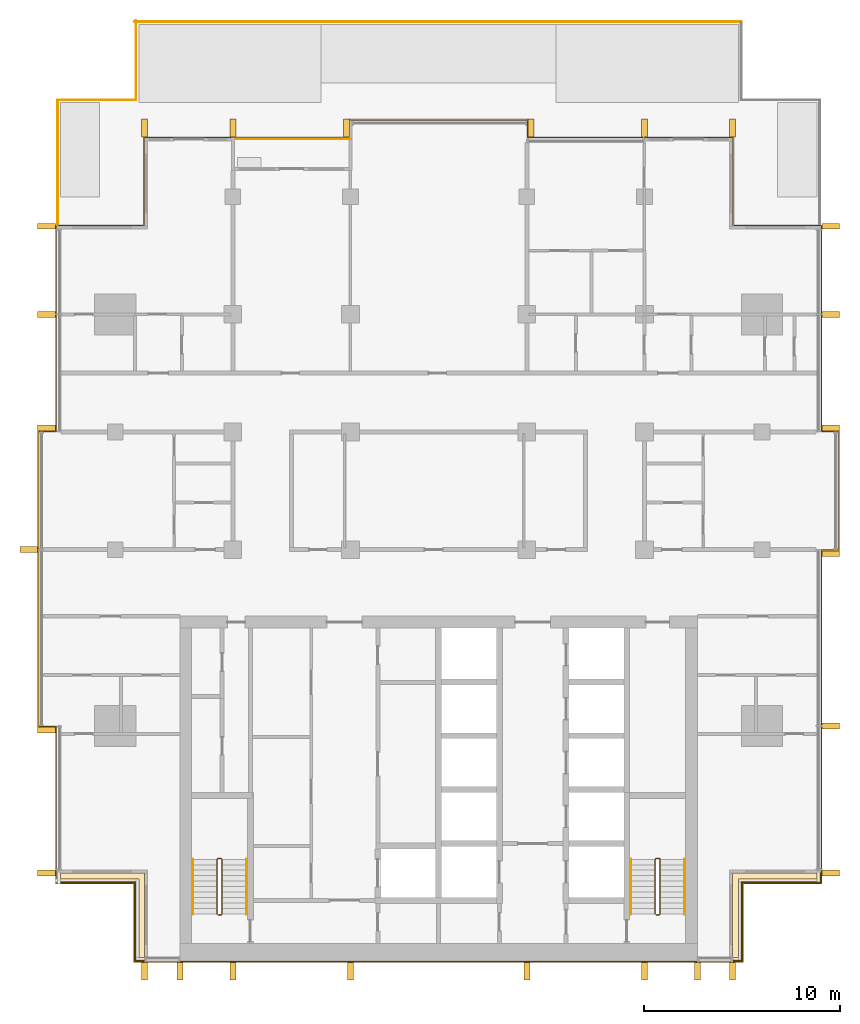
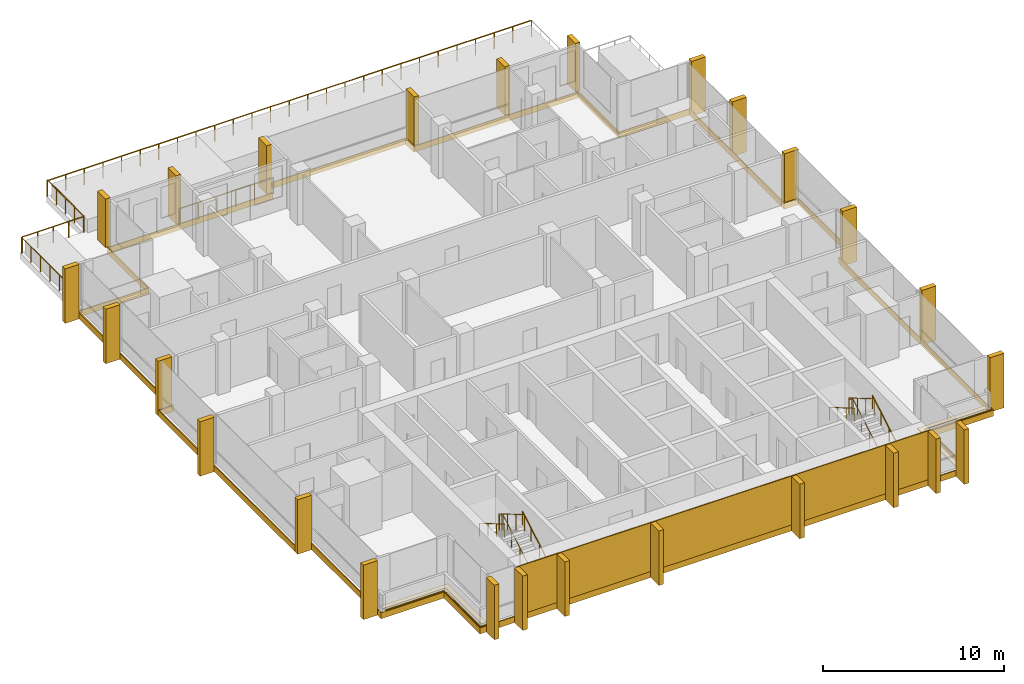
# One storey, part 16 of 17: 26 shading devices, 11 railings, 10 coverings.
"""IFC4 building model written with IfcOpenShell, lengths in metres."""

import ifcopenshell
import ifcopenshell.guid

model = None  # the IFC model being written
_history = None  # IfcOwnerHistory: only IFC2X3 demands one
_inside = {}  # id of a spatial element -> (the spatial element, [elements in it])
_under = {}  # id of a project, library or spatial element -> (it, [spatial elements below it])
_declared = {}  # id of a project -> (the project, [libraries it declares])
_typed = {}  # id of a type object -> (the type object, [elements of that type])
_made_of = {}  # id of a material, layer set ... -> (it, [elements and type objects made of it])


def new_model(schema):
    """Start an empty IFC model of exactly this schema.

    Asked for "IFC4X3", IfcOpenShell would pick the latest addendum, in which some entities
    have other attributes; the version numbers below select the first issue.
    IFC2X3 requires an IfcOwnerHistory on every rooted entity: one is made here for all.
    """
    global model, _history
    if schema == "IFC4X3":
        model = ifcopenshell.file(schema_version=(4, 3, 0, 0))
    else:
        model = ifcopenshell.file(schema=schema)
    _inside.clear()
    _under.clear()
    _declared.clear()
    _typed.clear()
    _made_of.clear()
    _history = None
    if model.schema == "IFC2X3":
        org = make("IfcOrganization", Name="unknown")
        user = make(
            "IfcPersonAndOrganization",
            ThePerson=make("IfcPerson", FamilyName="unknown"),
            TheOrganization=org,
        )
        app = make(
            "IfcApplication",
            ApplicationDeveloper=org,
            Version="unknown",
            ApplicationFullName="unknown",
            ApplicationIdentifier="unknown",
        )
        _history = make(
            "IfcOwnerHistory",
            OwningUser=user,
            OwningApplication=app,
            ChangeAction="ADDED",
            CreationDate=0,
        )
    return model


def make(cls, **values):
    """One entity of the class cls with the attributes given. An attribute that is None is left unset."""
    return model.create_entity(
        cls, **{name: value for name, value in values.items() if value is not None}
    )


def rooted(cls, **values):
    """An entity with a GlobalId (a new one), such as an element, a storey or a relation."""
    return make(cls, GlobalId=ifcopenshell.guid.new(), OwnerHistory=_history, **values)


def si_unit(unit_type, name, prefix=None):
    """IfcSIUnit, for example si_unit("LENGTHUNIT", "METRE", prefix="MILLI")."""
    return make("IfcSIUnit", UnitType=unit_type, Prefix=prefix, Name=name)


def assignment(units):
    """IfcUnitAssignment: the units of a project."""
    return None if units is None else make("IfcUnitAssignment", Units=units)


def point(xyz):
    """IfcCartesianPoint."""
    return None if xyz is None else make("IfcCartesianPoint", Coordinates=xyz)


def direction(xyz):
    """IfcDirection."""
    return None if xyz is None else make("IfcDirection", DirectionRatios=xyz)


def frame(location, z_axis=None, x_axis=None):
    """IfcAxis2Placement3D, a coordinate frame: its origin and axes. An axis left out is left unset."""
    return make(
        "IfcAxis2Placement3D",
        Location=point(location),
        Axis=direction(z_axis),
        RefDirection=direction(x_axis),
    )


def frame_2d(location, x_axis=None):
    """IfcAxis2Placement2D, a coordinate frame in the plane: its origin and x axis."""
    return make(
        "IfcAxis2Placement2D", Location=point(location), RefDirection=direction(x_axis)
    )


def origin():
    """The frame at (0, 0, 0) with its axes left unset."""
    return frame((0.0, 0.0, 0.0))


def origin_2d():
    """The frame at (0, 0) in the plane with its x axis left unset."""
    return frame_2d((0.0, 0.0))


def place(relative_to, where):
    """IfcLocalPlacement: puts the frame where relative to a parent placement (None: the world)."""
    return make(
        "IfcLocalPlacement", PlacementRelTo=relative_to, RelativePlacement=where
    )


def context(
    kind, dimensions, precision=None, world=None, true_north=None, identifier=None
):
    """IfcGeometricRepresentationContext, for example the 3D "Model" context."""
    return make(
        "IfcGeometricRepresentationContext",
        ContextIdentifier=identifier,
        ContextType=kind,
        CoordinateSpaceDimension=dimensions,
        Precision=precision,
        WorldCoordinateSystem=world,
        TrueNorth=true_north,
    )


def subcontext(parent, identifier, kind, view, scale=None):
    """IfcGeometricRepresentationSubContext, for example "Body" below "Model"."""
    return make(
        "IfcGeometricRepresentationSubContext",
        ContextIdentifier=identifier,
        ContextType=kind,
        ParentContext=parent,
        TargetScale=scale,
        TargetView=view,
    )


def project(units=None, contexts=None):
    """IfcProject with its units and contexts."""
    return rooted(
        "IfcProject",
        Name="project",
        RepresentationContexts=contexts,
        UnitsInContext=assignment(units),
    )


def spatial(cls, under=None, at=None, **own):
    """A site, building, storey or space (cls), placed at a placement, below another one or the project."""
    s = rooted(cls, ObjectPlacement=at, **own)
    if under is not None:
        _under.setdefault(under.id(), (under, []))[1].append(s)
    return s


def polyline(points):
    """IfcPolyline through the points."""
    return make("IfcPolyline", Points=[point(p) for p in points])


def profile(cls, at=None, kind="AREA", **sizes):
    """A parametric profile (cls). Its sizes go by their IFC names, for example OverallWidth=200.0."""
    return make(cls, ProfileType=kind, Position=at, **sizes)


def rectangle(**sizes):
    """IfcRectangleProfileDef."""
    return profile("IfcRectangleProfileDef", **sizes)


def circle(**sizes):
    """IfcCircleProfileDef."""
    return profile("IfcCircleProfileDef", **sizes)


def outline(outer, holes=None, kind="AREA"):
    """IfcArbitraryClosedProfileDef: a profile drawn as a closed curve; with holes, ...WithVoids."""
    if holes is None:
        return make("IfcArbitraryClosedProfileDef", ProfileType=kind, OuterCurve=outer)
    return make(
        "IfcArbitraryProfileDefWithVoids",
        ProfileType=kind,
        OuterCurve=outer,
        InnerCurves=holes,
    )


def extrude(swept, where, along, depth):
    """IfcExtrudedAreaSolid: the profile swept, set in the frame where, extruded along a direction by depth."""
    return make(
        "IfcExtrudedAreaSolid",
        SweptArea=swept,
        Position=where,
        ExtrudedDirection=direction(along),
        Depth=depth,
    )


def shape(context_of_items, identifier, shape_type, items):
    """IfcShapeRepresentation: the items that make up one representation, for example the "Body"."""
    return make(
        "IfcShapeRepresentation",
        ContextOfItems=context_of_items,
        RepresentationIdentifier=identifier,
        RepresentationType=shape_type,
        Items=items,
    )


def material(Name=None, Category=None):
    """IfcMaterial."""
    return make("IfcMaterial", Name=Name, Category=Category)


def layer(
    of_material, thickness, ventilated=None, Name=None, Category=None, Priority=None
):
    """IfcMaterialLayer: one layer of a wall or slab, of a material (None: an air gap)."""
    return make(
        "IfcMaterialLayer",
        Material=of_material,
        LayerThickness=thickness,
        IsVentilated=ventilated,
        Name=Name,
        Category=Category,
        Priority=Priority,
    )


def layer_set(layers, Name=None):
    """IfcMaterialLayerSet."""
    return make("IfcMaterialLayerSet", MaterialLayers=layers, LayerSetName=Name)


def made_of(thing, what):
    """Note that an element or type object is made of a material, layer set ...; save() writes the relation."""
    if what is not None:
        _made_of.setdefault(what.id(), (what, []))[1].append(thing)
    return thing


def type_object(cls, material=None, **own):
    """A type object (cls), such as IfcWallType, which elements share."""
    return made_of(rooted(cls, **own), material)


def element(
    cls,
    number,
    at=None,
    inside=None,
    cuts=None,
    type_object=None,
    material=None,
    context=None,
    identifier="Body",
    shape_type=None,
    held_by="IfcProductDefinitionShape",
    body=None,
    shapes=None,
    **own,
):
    """One element of the class cls, such as IfcWall. Its Tag is "e" and its number.

    at: its placement. inside: the storey or other place that contains it. cuts: it is an
    opening in that element (IfcRelVoidsElement). A single representation is given by context,
    identifier, shape_type and body (its items); several are given by shapes. held_by: the class
    of the entity that holds the representations. save() writes the other relations.
    """
    e = rooted(cls, Tag="e%d" % number, ObjectPlacement=at, **own)
    if body is not None:
        shapes = [shape(context, identifier, shape_type, body)]
    if shapes is not None:
        e.Representation = make(held_by, Representations=shapes)
    if inside is not None:
        _inside.setdefault(inside.id(), (inside, []))[1].append(e)
    if cuts is not None:
        rooted(
            "IfcRelVoidsElement", RelatingBuildingElement=cuts, RelatedOpeningElement=e
        )
    if type_object is not None:
        _typed.setdefault(type_object.id(), (type_object, []))[1].append(e)
    return made_of(e, material)


def aggregate(whole, parts):
    """IfcRelAggregates: a whole, such as a stair, and the parts it consists of."""
    return rooted("IfcRelAggregates", RelatingObject=whole, RelatedObjects=parts)


def save(model, path):
    """Write the relations noted so far, then the file.

    IfcRelAggregates (storeys below a building ...), IfcRelContainedInSpatialStructure (elements
    in a storey), IfcRelDefinesByType, IfcRelAssociatesMaterial and IfcRelDeclares: one each for
    every whole, place, type object, material and project.
    """
    for whole, parts in _under.values():
        aggregate(whole, parts)
    for where, things in _inside.values():
        rooted(
            "IfcRelContainedInSpatialStructure",
            RelatedElements=things,
            RelatingStructure=where,
        )
    for kind, things in _typed.values():
        rooted("IfcRelDefinesByType", RelatedObjects=things, RelatingType=kind)
    for what, things in _made_of.values():
        rooted("IfcRelAssociatesMaterial", RelatedObjects=things, RelatingMaterial=what)
    for by, libraries in _declared.values():
        rooted("IfcRelDeclares", RelatingContext=by, RelatedDefinitions=libraries)
    model.write(path)


model = new_model("IFC4")

# Units and contexts
model_context = context("Model", 3, precision=1e-05, world=origin(), true_north=direction((0.0, 1.0)))
body_context = subcontext(model_context, "Body", "Model", "MODEL_VIEW")
ifc_project = project(units=[si_unit("LENGTHUNIT", "METRE"), si_unit("AREAUNIT", "SQUARE_METRE"), si_unit("VOLUMEUNIT", "CUBIC_METRE"), si_unit("PLANEANGLEUNIT", "RADIAN"), si_unit("MASSUNIT", "GRAM", prefix="KILO")], contexts=[model_context])

# Site, building, storey
site_placement = place(None, origin())
site = spatial("IfcSite", under=ifc_project, at=site_placement, CompositionType="ELEMENT")
building_placement = place(site_placement, origin())
building = spatial("IfcBuilding", under=site, at=building_placement, Name="Finial Court Residences", CompositionType="ELEMENT")
storey_placement = place(building_placement, frame((0.0, 0.0, 205.10009765625)))
storey = spatial("IfcBuildingStorey", under=building, at=storey_placement, Name="L51", CompositionType="ELEMENT", Elevation=205.10009765625)

# Railing
ifc_material_1 = material(Name="Bronze anodised aluminium", Category="aluminium")
railing_type_1 = type_object("IfcRailingType", Name="Balcony guard 1100", PredefinedType="GUARDRAIL", material=ifc_material_1)
railing_1_placement = place(storey_placement, frame((-10.5, 16.449951171875, 0.0)))
element("IfcRailing", 1, at=railing_1_placement, inside=storey, type_object=railing_type_1, Name="E-L51-BALN2-R", PredefinedType="GUARDRAIL", context=body_context, shape_type="SweptSolid", body=[
    extrude(circle(Radius=0.02392578125, at=origin_2d()), frame((0.0, 0.0, 1.076171875), z_axis=(1.0, 0.0, 0.0), x_axis=(0.0, 1.0, 0.0)), (0.0, 0.0, 1.0), 6.0),
    extrude(circle(Radius=0.02099609375, at=origin_2d()), origin(), (0.0, 0.0, 1.0), 1.052001953125),
    extrude(circle(Radius=0.02099609375, at=origin_2d()), frame((1.199951171875, 0.0, 0.0)), (0.0, 0.0, 1.0), 1.052001953125),
    extrude(circle(Radius=0.02099609375, at=origin_2d()), frame((2.39990234375, 0.0, 0.0)), (0.0, 0.0, 1.0), 1.052001953125),
    extrude(circle(Radius=0.02099609375, at=origin_2d()), frame((3.60009765625, 0.0, 0.0)), (0.0, 0.0, 1.0), 1.052001953125),
    extrude(circle(Radius=0.02099609375, at=origin_2d()), frame((4.800048828125, 0.0, 0.0)), (0.0, 0.0, 1.0), 1.052001953125),
    extrude(circle(Radius=0.02099609375, at=origin_2d()), frame((6.0, 0.0, 0.0)), (0.0, 0.0, 1.0), 1.052001953125),
])

# Coverings
ifc_material_2 = material(Name="Natural limestone", Category="masonry")
ifc_layer_1 = layer(ifc_material_2, 0.06005859375)
ifc_layer_set_1 = layer_set([ifc_layer_1], Name="Limestone cladding to the blind core face 60")
covering_type_1 = type_object("IfcCoveringType", Name="Limestone cladding to the blind core face 60", PredefinedType="CLADDING", material=ifc_layer_set_1)
covering_1_placement = place(storey_placement, origin())
element("IfcCovering", 2, at=covering_1_placement, inside=storey, type_object=covering_type_1, Name="E-L51-CLAD1", PredefinedType="CLADDING", context=body_context, shape_type="SweptSolid", body=[
    extrude(outline(polyline([(-10.5, -25.56005859375), (-10.5, -25.5), (-13.199951171875, -25.5), (-13.199951171875, -25.56005859375), (-10.5, -25.56005859375)])), origin(), (0.0, 0.0, 1.0), 3.2998046875),
])
covering_2_placement = place(storey_placement, origin())
element("IfcCovering", 3, at=covering_2_placement, inside=storey, type_object=covering_type_1, Name="E-L51-CLAD2", PredefinedType="CLADDING", context=body_context, shape_type="SweptSolid", body=[
    extrude(outline(polyline([(-4.5, -25.56005859375), (-4.5, -25.5), (-10.5, -25.5), (-10.5, -25.56005859375), (-4.5, -25.56005859375)])), origin(), (0.0, 0.0, 1.0), 3.2998046875),
])
covering_3_placement = place(storey_placement, origin())
element("IfcCovering", 4, at=covering_3_placement, inside=storey, type_object=covering_type_1, Name="E-L51-CLAD3", PredefinedType="CLADDING", context=body_context, shape_type="SweptSolid", body=[
    extrude(outline(polyline([(4.5, -25.56005859375), (4.5, -25.5), (-4.5, -25.5), (-4.5, -25.56005859375), (4.5, -25.56005859375)])), origin(), (0.0, 0.0, 1.0), 3.2998046875),
])
covering_4_placement = place(storey_placement, origin())
element("IfcCovering", 5, at=covering_4_placement, inside=storey, type_object=covering_type_1, Name="E-L51-CLAD4", PredefinedType="CLADDING", context=body_context, shape_type="SweptSolid", body=[
    extrude(outline(polyline([(10.5, -25.56005859375), (10.5, -25.5), (4.5, -25.5), (4.5, -25.56005859375), (10.5, -25.56005859375)])), origin(), (0.0, 0.0, 1.0), 3.2998046875),
])
covering_5_placement = place(storey_placement, origin())
element("IfcCovering", 6, at=covering_5_placement, inside=storey, type_object=covering_type_1, Name="E-L51-CLAD5", PredefinedType="CLADDING", context=body_context, shape_type="SweptSolid", body=[
    extrude(outline(polyline([(13.199951171875, -25.56005859375), (13.199951171875, -25.5), (10.5, -25.5), (10.5, -25.56005859375), (13.199951171875, -25.56005859375)])), origin(), (0.0, 0.0, 1.0), 3.2998046875),
])

# Shading devices
shading_device_type = type_object("IfcShadingDeviceType", Name="Limestone fin 300 x 900", PredefinedType="USERDEFINED", material=ifc_material_2)
for number, where, z_axis, x_axis, name in (
    (7, (-15.0, 17.010009765625, 0.0), (0.0, 0.0, 1.0), (1.0, 0.0, 0.0), "E-L51-FIN-N1"),
    (8, (-10.5, 17.010009765625, 0.0), (0.0, 0.0, 1.0), (1.0, 0.0, 0.0), "E-L51-FIN-N2"),
    (9, (-4.7099609375, 17.010009765625, 0.0), (0.0, 0.0, 1.0), (1.0, 0.0, 0.0), "E-L51-FIN-N3"),
    (10, (4.7099609375, 17.010009765625, 0.0), (0.0, 0.0, 1.0), (1.0, 0.0, 0.0), "E-L51-FIN-N4"),
    (11, (10.5, 17.010009765625, 0.0), (0.0, 0.0, 1.0), (1.0, 0.0, 0.0), "E-L51-FIN-N5"),
    (12, (15.0, 17.010009765625, 0.0), (0.0, 0.0, 1.0), (1.0, 0.0, 0.0), "E-L51-FIN-N6"),
):
    element("IfcShadingDevice", number, at=place(storey_placement, frame(where, z_axis=z_axis, x_axis=x_axis)), inside=storey, type_object=shading_device_type, Name=name, ObjectType="FIN", PredefinedType="USERDEFINED", context=body_context, shape_type="SweptSolid", body=[
        extrude(rectangle(XDim=0.300048828125, YDim=0.89990234375, at=origin_2d()), origin(), (0.0, 0.0, 1.0), 3.280029296875),
    ])
for number, where, z_axis, x_axis, name in (
    (13, (20.010009765625, -21.0, -0.39990234375), (0.0, 0.0, 1.0), (1.0, 0.0, 0.0), "E-L51-FIN-E7"),
    (14, (20.010009765625, -13.5, -0.39990234375), (0.0, 0.0, 1.0), (1.0, 0.0, 0.0), "E-L51-FIN-E8"),
    (15, (20.010009765625, -4.7099609375, -0.39990234375), (0.0, 0.0, 1.0), (1.0, 0.0, 0.0), "E-L51-FIN-E9"),
    (16, (20.010009765625, 1.7099609375, -0.39990234375), (0.0, 0.0, 1.0), (1.0, 0.0, 0.0), "E-L51-FIN-E10"),
    (17, (20.010009765625, 7.5, -0.39990234375), (0.0, 0.0, 1.0), (1.0, 0.0, 0.0), "E-L51-FIN-E11"),
    (18, (20.010009765625, 12.0, -0.39990234375), (0.0, 0.0, 1.0), (1.0, 0.0, 0.0), "E-L51-FIN-E12"),
):
    element("IfcShadingDevice", number, at=place(storey_placement, frame(where, z_axis=z_axis, x_axis=x_axis)), inside=storey, type_object=shading_device_type, Name=name, ObjectType="FIN", PredefinedType="USERDEFINED", context=body_context, shape_type="SweptSolid", body=[
        extrude(rectangle(XDim=0.89990234375, YDim=0.300048828125, at=origin_2d()), origin(), (0.0, 0.0, 1.0), 3.679931640625),
    ])
for number, where, z_axis, x_axis, name in (
    (19, (-15.0, -26.010009765625, -0.39990234375), (0.0, 0.0, 1.0), (1.0, 0.0, 0.0), "E-L51-FIN-S13"),
    (20, (-13.199951171875, -26.010009765625, -0.39990234375), (0.0, 0.0, 1.0), (1.0, 0.0, 0.0), "E-L51-FIN-S14"),
    (21, (-10.5, -26.010009765625, -0.39990234375), (0.0, 0.0, 1.0), (1.0, 0.0, 0.0), "E-L51-FIN-S15"),
    (22, (-4.5, -26.010009765625, -0.39990234375), (0.0, 0.0, 1.0), (1.0, 0.0, 0.0), "E-L51-FIN-S16"),
    (23, (4.5, -26.010009765625, -0.39990234375), (0.0, 0.0, 1.0), (1.0, 0.0, 0.0), "E-L51-FIN-S17"),
    (24, (10.5, -26.010009765625, -0.39990234375), (0.0, 0.0, 1.0), (1.0, 0.0, 0.0), "E-L51-FIN-S18"),
    (25, (13.199951171875, -26.010009765625, -0.39990234375), (0.0, 0.0, 1.0), (1.0, 0.0, 0.0), "E-L51-FIN-S19"),
    (26, (15.0, -26.010009765625, -0.39990234375), (0.0, 0.0, 1.0), (1.0, 0.0, 0.0), "E-L51-FIN-S20"),
):
    element("IfcShadingDevice", number, at=place(storey_placement, frame(where, z_axis=z_axis, x_axis=x_axis)), inside=storey, type_object=shading_device_type, Name=name, ObjectType="FIN", PredefinedType="USERDEFINED", context=body_context, shape_type="SweptSolid", body=[
        extrude(rectangle(XDim=0.300048828125, YDim=0.89990234375, at=origin_2d()), origin(), (0.0, 0.0, 1.0), 3.679931640625),
    ])
for number, where, z_axis, x_axis, name in (
    (27, (-20.010009765625, -21.0, -0.39990234375), (0.0, 0.0, 1.0), (1.0, 0.0, 0.0), "E-L51-FIN-W21"),
    (28, (-20.010009765625, -13.7099609375, -0.39990234375), (0.0, 0.0, 1.0), (1.0, 0.0, 0.0), "E-L51-FIN-W22"),
    (29, (-20.909912109375, -4.5, -0.39990234375), (0.0, 0.0, 1.0), (1.0, 0.0, 0.0), "E-L51-FIN-W23"),
    (30, (-20.010009765625, 1.7099609375, -0.39990234375), (0.0, 0.0, 1.0), (1.0, 0.0, 0.0), "E-L51-FIN-W24"),
    (31, (-20.010009765625, 7.5, -0.39990234375), (0.0, 0.0, 1.0), (1.0, 0.0, 0.0), "E-L51-FIN-W25"),
    (32, (-20.010009765625, 12.0, -0.39990234375), (0.0, 0.0, 1.0), (1.0, 0.0, 0.0), "E-L51-FIN-W26"),
):
    element("IfcShadingDevice", number, at=place(storey_placement, frame(where, z_axis=z_axis, x_axis=x_axis)), inside=storey, type_object=shading_device_type, Name=name, ObjectType="FIN", PredefinedType="USERDEFINED", context=body_context, shape_type="SweptSolid", body=[
        extrude(rectangle(XDim=0.89990234375, YDim=0.300048828125, at=origin_2d()), origin(), (0.0, 0.0, 1.0), 3.679931640625),
    ])

# Coverings
ifc_material_3 = material(Name="Pale limestone", Category="masonry")
ifc_layer_2 = layer(ifc_material_3, 0.06005859375)
ifc_layer_set_2 = layer_set([ifc_layer_2], Name="Pale limestone slab-edge band 60")
covering_type_2 = type_object("IfcCoveringType", Name="Pale limestone slab-edge band 60", PredefinedType="CLADDING", material=ifc_layer_set_2)
covering_6_placement = place(storey_placement, frame((0.0, 0.0, -0.400146484375)))
element("IfcCovering", 33, at=covering_6_placement, inside=storey, type_object=covering_type_2, Name="E-L51-BAND1", PredefinedType="CLADDING", context=body_context, shape_type="SweptSolid", body=[
    extrude(outline(polyline([(-20.4599609375, -13.56005859375), (-20.4599609375, 1.56005859375), (-19.56005859375, 1.56005859375), (-19.56005859375, 12.06005859375), (-15.06005859375, 12.06005859375), (-15.06005859375, 16.56005859375), (-4.56005859375, 16.56005859375), (-4.56005859375, 17.4599609375), (4.56005859375, 17.4599609375), (4.56005859375, 16.56005859375), (15.06005859375, 16.56005859375), (15.06005859375, 12.06005859375), (19.56005859375, 12.06005859375), (19.56005859375, 1.56005859375), (20.4599609375, 1.56005859375), (20.4599609375, -4.56005859375), (19.56005859375, -4.56005859375), (19.56005859375, -21.56005859375), (15.56005859375, -21.56005859375), (15.56005859375, -25.56005859375), (-15.56005859375, -25.56005859375), (-15.56005859375, -21.56005859375), (-19.56005859375, -21.56005859375), (-19.56005859375, -13.56005859375), (-20.4599609375, -13.56005859375)]), holes=[polyline([(-19.5, -21.5), (-15.5, -21.5), (-15.5, -25.5), (-15.0, -25.5), (15.0, -25.5), (15.5, -25.5), (15.5, -21.5), (19.5, -21.5), (19.5, -21.0), (19.5, -4.5), (20.39990234375, -4.5), (20.39990234375, 1.5), (19.5, 1.5), (19.5, 12.0), (15.0, 12.0), (15.0, 16.5), (4.5, 16.5), (4.5, 17.39990234375), (-4.5, 17.39990234375), (-4.5, 16.5), (-10.5, 16.5), (-15.0, 16.5), (-15.0, 12.0), (-19.5, 12.0), (-19.5, 1.5), (-20.39990234375, 1.5), (-20.39990234375, -4.5), (-20.39990234375, -13.5), (-19.5, -13.5), (-19.5, -21.0), (-19.5, -21.5)])]), origin(), (0.0, 0.0, 1.0), 0.400146484375),
])
ifc_material_4 = material(Name="Bitumen membrane")
ifc_layer_3 = layer(ifc_material_4, 0.0400390625)
ifc_layer_set_3 = layer_set([ifc_layer_3], Name="Push box roofing, bitumen membrane 40")
covering_type_3 = type_object("IfcCoveringType", Name="Push box roofing, bitumen membrane 40", PredefinedType="ROOFING", material=ifc_layer_set_3)
covering_7_placement = place(storey_placement, origin())
element("IfcCovering", 34, at=covering_7_placement, inside=storey, type_object=covering_type_3, Name="E-L51-LED1", PredefinedType="ROOFING", context=body_context, shape_type="SweptSolid", body=[
    extrude(outline(polyline([(19.300048828125, -21.0), (19.300048828125, -21.300048828125), (15.300048828125, -21.300048828125), (15.300048828125, -21.449951171875), (15.300048828125, -25.300048828125), (15.0, -25.300048828125), (15.0, -21.0), (19.300048828125, -21.0)])), origin(), (0.0, 0.0, 1.0), 0.039794921875),
])
covering_8_placement = place(storey_placement, origin())
element("IfcCovering", 35, at=covering_8_placement, inside=storey, type_object=covering_type_3, Name="E-L51-LED1b", PredefinedType="ROOFING", context=body_context, shape_type="SweptSolid", body=[
    extrude(outline(polyline([(19.5, -21.0), (19.5, -21.5), (15.5, -21.5), (15.5, -25.5), (15.0, -25.5), (15.0, -25.449951171875), (15.300048828125, -25.449951171875), (15.449951171875, -25.449951171875), (15.449951171875, -21.449951171875), (19.300048828125, -21.449951171875), (19.449951171875, -21.449951171875), (19.449951171875, -21.0), (19.5, -21.0)])), origin(), (0.0, 0.0, 1.0), 0.039794921875),
])
covering_9_placement = place(storey_placement, origin())
element("IfcCovering", 36, at=covering_9_placement, inside=storey, type_object=covering_type_3, Name="E-L51-LED2c", PredefinedType="ROOFING", context=body_context, shape_type="SweptSolid", body=[
    extrude(outline(polyline([(-15.0, -21.0), (-15.0, -25.300048828125), (-15.300048828125, -25.300048828125), (-15.300048828125, -21.300048828125), (-15.449951171875, -21.300048828125), (-19.300048828125, -21.300048828125), (-19.300048828125, -21.0), (-15.0, -21.0)])), origin(), (0.0, 0.0, 1.0), 0.039794921875),
])
covering_10_placement = place(storey_placement, origin())
element("IfcCovering", 37, at=covering_10_placement, inside=storey, type_object=covering_type_3, Name="E-L51-LED2d", PredefinedType="ROOFING", context=body_context, shape_type="SweptSolid", body=[
    extrude(outline(polyline([(-15.0, -25.5), (-15.5, -25.5), (-15.5, -21.5), (-19.300048828125, -21.5), (-19.300048828125, -21.449951171875), (-15.449951171875, -21.449951171875), (-15.449951171875, -25.300048828125), (-15.449951171875, -25.449951171875), (-15.0, -25.449951171875), (-15.0, -25.5)])), origin(), (0.0, 0.0, 1.0), 0.039794921875),
])

# Railings
ifc_material_5 = material(Name="Stainless steel railing", Category="steel")
railing_type_2 = type_object("IfcRailingType", Name="Stair guard 1100", PredefinedType="GUARDRAIL", material=ifc_material_5)
railing_2_placement = place(storey_placement, frame((-11.10009765625, -23.14990234375, 0.0)))
element("IfcRailing", 38, at=railing_2_placement, inside=storey, type_object=railing_type_2, Name="L51 ST-1 stair guard 1", PredefinedType="GUARDRAIL", context=body_context, shape_type="SweptSolid", body=[
    extrude(circle(Radius=0.02392578125, at=origin_2d()), frame((0.0, 0.0, 1.076171875), z_axis=(-1.0, 0.0, 0.0), x_axis=(0.0, -1.0, 0.0)), (0.0, 0.0, 1.0), 0.14990234375),
    extrude(circle(Radius=0.02392578125, at=origin_2d()), frame((-0.14990234375, 0.0, 1.076171875), z_axis=(0.760004195007, 0.189305074214, 0.621737253547), x_axis=(-0.241699205484, 0.970351222016, 0.0)), (0.0, 0.0, 1.0), 0.26318359375),
    extrude(circle(Radius=0.02392578125, at=origin_2d()), frame((0.050048828125, 0.0498046875, 1.23974609375), z_axis=(0.0, 0.863393664356, 0.504530851732), x_axis=(-1.0, 0.0, 0.0)), (0.0, 0.0, 1.0), 3.2431640625),
    extrude(circle(Radius=0.02392578125, at=origin_2d()), frame((0.050048828125, 2.849853515625, 2.8759765625), z_axis=(-0.707106781187, 0.707106781187, 0.0), x_axis=(-0.707106781187, -0.707106781187, 0.0)), (0.0, 0.0, 1.0), 0.07080078125),
    extrude(circle(Radius=0.02392578125, at=origin_2d()), frame((0.0, 2.89990234375, 2.8759765625), z_axis=(-1.0, 0.0, 0.0), x_axis=(0.0, -1.0, 0.0)), (0.0, 0.0, 1.0), 0.14990234375),
    extrude(circle(Radius=0.02392578125, at=origin_2d()), frame((-0.14990234375, 2.89990234375, 2.8759765625), z_axis=(-0.280456126637, -0.280456126637, 0.917980785237), x_axis=(0.707106781187, -0.707106781187, 0.0)), (0.0, 0.0, 1.0), 0.178466796875),
    extrude(circle(Radius=0.02392578125, at=origin_2d()), frame((-0.199951171875, 2.849853515625, 3.03955078125), z_axis=(0.0, -0.863393664356, 0.504530851732), x_axis=(1.0, 0.0, 0.0)), (0.0, 0.0, 1.0), 3.2431640625),
    extrude(circle(Radius=0.02099609375, at=origin_2d()), origin(), (0.0, 0.0, 1.0), 1.052001953125),
    extrude(circle(Radius=0.02099609375, at=origin_2d()), frame((-0.14990234375, 0.0, 0.0)), (0.0, 0.0, 1.0), 1.052001953125),
    extrude(circle(Radius=0.02099609375, at=origin_2d()), frame((0.050048828125, 0.0498046875, 0.16357421875)), (0.0, 0.0, 1.0), 1.052001953125),
    extrude(circle(Radius=0.02099609375, at=origin_2d()), frame((0.050048828125, 0.983154296875, 0.708984375)), (0.0, 0.0, 1.0), 1.052001953125),
    extrude(circle(Radius=0.02099609375, at=origin_2d()), frame((0.050048828125, 1.91650390625, 1.25439453125)), (0.0, 0.0, 1.0), 1.052001953125),
    extrude(circle(Radius=0.02099609375, at=origin_2d()), frame((0.050048828125, 2.849853515625, 1.7998046875)), (0.0, 0.0, 1.0), 1.052001953125),
    extrude(circle(Radius=0.02099609375, at=origin_2d()), frame((0.0, 2.89990234375, 1.7998046875)), (0.0, 0.0, 1.0), 1.052001953125),
    extrude(circle(Radius=0.02099609375, at=origin_2d()), frame((-0.14990234375, 2.89990234375, 1.7998046875)), (0.0, 0.0, 1.0), 1.052001953125),
    extrude(circle(Radius=0.02099609375, at=origin_2d()), frame((-0.199951171875, 2.849853515625, 1.963623046875)), (0.0, 0.0, 1.0), 1.052001953125),
    extrude(circle(Radius=0.02099609375, at=origin_2d()), frame((-0.199951171875, 1.91650390625, 2.509033203125)), (0.0, 0.0, 1.0), 1.052001953125),
    extrude(circle(Radius=0.02099609375, at=origin_2d()), frame((-0.199951171875, 0.983154296875, 3.054443359375)), (0.0, 0.0, 1.0), 1.052001953125),
    extrude(circle(Radius=0.02099609375, at=origin_2d()), frame((-0.199951171875, 0.0498046875, 3.599853515625)), (0.0, 0.0, 1.0), 1.052001953125),
])
railing_3_placement = place(storey_placement, frame((11.25, -23.14990234375, 0.0)))
element("IfcRailing", 39, at=railing_3_placement, inside=storey, type_object=railing_type_2, Name="L51 ST-2 stair guard 1", PredefinedType="GUARDRAIL", context=body_context, shape_type="SweptSolid", body=[
    extrude(circle(Radius=0.02392578125, at=origin_2d()), frame((0.0, 0.0, 1.076171875), z_axis=(-1.0, 0.0, 0.0), x_axis=(0.0, -1.0, 0.0)), (0.0, 0.0, 1.0), 0.14990234375),
    extrude(circle(Radius=0.02392578125, at=origin_2d()), frame((-0.14990234375, 0.0, 1.076171875), z_axis=(0.760004195007, 0.189305074214, 0.621737253547), x_axis=(-0.241699205484, 0.970351222016, 0.0)), (0.0, 0.0, 1.0), 0.26318359375),
    extrude(circle(Radius=0.02392578125, at=origin_2d()), frame((0.050048828125, 0.0498046875, 1.23974609375), z_axis=(0.0, 0.863393664356, 0.504530851732), x_axis=(-1.0, 0.0, 0.0)), (0.0, 0.0, 1.0), 3.2431640625),
    extrude(circle(Radius=0.02392578125, at=origin_2d()), frame((0.050048828125, 2.849853515625, 2.8759765625), z_axis=(-0.707106781187, 0.707106781187, 0.0), x_axis=(-0.707106781187, -0.707106781187, 0.0)), (0.0, 0.0, 1.0), 0.07080078125),
    extrude(circle(Radius=0.02392578125, at=origin_2d()), frame((0.0, 2.89990234375, 2.8759765625), z_axis=(-1.0, 0.0, 0.0), x_axis=(0.0, -1.0, 0.0)), (0.0, 0.0, 1.0), 0.14990234375),
    extrude(circle(Radius=0.02392578125, at=origin_2d()), frame((-0.14990234375, 2.89990234375, 2.8759765625), z_axis=(-0.280456126637, -0.280456126637, 0.917980785237), x_axis=(0.707106781187, -0.707106781187, 0.0)), (0.0, 0.0, 1.0), 0.178466796875),
    extrude(circle(Radius=0.02392578125, at=origin_2d()), frame((-0.199951171875, 2.849853515625, 3.03955078125), z_axis=(0.0, -0.863393664356, 0.504530851732), x_axis=(1.0, 0.0, 0.0)), (0.0, 0.0, 1.0), 3.2431640625),
    extrude(circle(Radius=0.02099609375, at=origin_2d()), origin(), (0.0, 0.0, 1.0), 1.052001953125),
    extrude(circle(Radius=0.02099609375, at=origin_2d()), frame((-0.14990234375, 0.0, 0.0)), (0.0, 0.0, 1.0), 1.052001953125),
    extrude(circle(Radius=0.02099609375, at=origin_2d()), frame((0.050048828125, 0.0498046875, 0.16357421875)), (0.0, 0.0, 1.0), 1.052001953125),
    extrude(circle(Radius=0.02099609375, at=origin_2d()), frame((0.050048828125, 0.983154296875, 0.708984375)), (0.0, 0.0, 1.0), 1.052001953125),
    extrude(circle(Radius=0.02099609375, at=origin_2d()), frame((0.050048828125, 1.91650390625, 1.25439453125)), (0.0, 0.0, 1.0), 1.052001953125),
    extrude(circle(Radius=0.02099609375, at=origin_2d()), frame((0.050048828125, 2.849853515625, 1.7998046875)), (0.0, 0.0, 1.0), 1.052001953125),
    extrude(circle(Radius=0.02099609375, at=origin_2d()), frame((0.0, 2.89990234375, 1.7998046875)), (0.0, 0.0, 1.0), 1.052001953125),
    extrude(circle(Radius=0.02099609375, at=origin_2d()), frame((-0.14990234375, 2.89990234375, 1.7998046875)), (0.0, 0.0, 1.0), 1.052001953125),
    extrude(circle(Radius=0.02099609375, at=origin_2d()), frame((-0.199951171875, 2.849853515625, 1.963623046875)), (0.0, 0.0, 1.0), 1.052001953125),
    extrude(circle(Radius=0.02099609375, at=origin_2d()), frame((-0.199951171875, 1.91650390625, 2.509033203125)), (0.0, 0.0, 1.0), 1.052001953125),
    extrude(circle(Radius=0.02099609375, at=origin_2d()), frame((-0.199951171875, 0.983154296875, 3.054443359375)), (0.0, 0.0, 1.0), 1.052001953125),
    extrude(circle(Radius=0.02099609375, at=origin_2d()), frame((-0.199951171875, 0.0498046875, 3.599853515625)), (0.0, 0.0, 1.0), 1.052001953125),
])
railing_type_3 = type_object("IfcRailingType", Name="Stair handrail 900", PredefinedType="HANDRAIL", material=ifc_material_5)
railing_4_placement = place(storey_placement, frame((-9.800048828125, -23.10009765625, 0.16357421875)))
element("IfcRailing", 40, at=railing_4_placement, inside=storey, type_object=railing_type_3, Name="L51 ST-1 stair handrail 1", PredefinedType="HANDRAIL", context=body_context, shape_type="SweptSolid", body=[
    extrude(circle(Radius=0.02392578125, at=origin_2d()), frame((0.0, 0.0, 0.8759765625), z_axis=(0.0, 0.863393664356, 0.504530851732), x_axis=(-1.0, 0.0, 0.0)), (0.0, 0.0, 1.0), 3.2431640625),
    extrude(circle(Radius=0.02099609375, at=origin_2d()), origin(), (0.0, 0.0, 1.0), 0.851806640625),
    extrude(circle(Radius=0.02099609375, at=origin_2d()), frame((0.0, 0.933349609375, 0.54541015625)), (0.0, 0.0, 1.0), 0.851806640625),
    extrude(circle(Radius=0.02099609375, at=origin_2d()), frame((0.0, 1.86669921875, 1.0908203125)), (0.0, 0.0, 1.0), 0.851806640625),
    extrude(circle(Radius=0.02099609375, at=origin_2d()), frame((0.0, 2.800048828125, 1.63623046875)), (0.0, 0.0, 1.0), 0.851806640625),
])
railing_5_placement = place(storey_placement, frame((-12.550048828125, -20.300048828125, 1.963623046875)))
element("IfcRailing", 41, at=railing_5_placement, inside=storey, type_object=railing_type_3, Name="L51 ST-1 stair handrail 2", PredefinedType="HANDRAIL", context=body_context, shape_type="SweptSolid", body=[
    extrude(circle(Radius=0.02392578125, at=origin_2d()), frame((0.0, 0.0, 0.8759765625), z_axis=(0.0, -0.863393664356, 0.504530851732), x_axis=(1.0, 0.0, 0.0)), (0.0, 0.0, 1.0), 3.2431640625),
    extrude(circle(Radius=0.02099609375, at=origin_2d()), origin(), (0.0, 0.0, 1.0), 0.851806640625),
    extrude(circle(Radius=0.02099609375, at=origin_2d()), frame((0.0, -0.933349609375, 0.54541015625)), (0.0, 0.0, 1.0), 0.851806640625),
    extrude(circle(Radius=0.02099609375, at=origin_2d()), frame((0.0, -1.86669921875, 1.0908203125)), (0.0, 0.0, 1.0), 0.851806640625),
    extrude(circle(Radius=0.02099609375, at=origin_2d()), frame((0.0, -2.800048828125, 1.63623046875)), (0.0, 0.0, 1.0), 0.851806640625),
])
railing_6_placement = place(storey_placement, frame((12.550048828125, -23.10009765625, 0.16357421875)))
element("IfcRailing", 42, at=railing_6_placement, inside=storey, type_object=railing_type_3, Name="L51 ST-2 stair handrail 1", PredefinedType="HANDRAIL", context=body_context, shape_type="SweptSolid", body=[
    extrude(circle(Radius=0.02392578125, at=origin_2d()), frame((0.0, 0.0, 0.8759765625), z_axis=(0.0, 0.863393664356, 0.504530851732), x_axis=(-1.0, 0.0, 0.0)), (0.0, 0.0, 1.0), 3.2431640625),
    extrude(circle(Radius=0.02099609375, at=origin_2d()), origin(), (0.0, 0.0, 1.0), 0.851806640625),
    extrude(circle(Radius=0.02099609375, at=origin_2d()), frame((0.0, 0.933349609375, 0.54541015625)), (0.0, 0.0, 1.0), 0.851806640625),
    extrude(circle(Radius=0.02099609375, at=origin_2d()), frame((0.0, 1.86669921875, 1.0908203125)), (0.0, 0.0, 1.0), 0.851806640625),
    extrude(circle(Radius=0.02099609375, at=origin_2d()), frame((0.0, 2.800048828125, 1.63623046875)), (0.0, 0.0, 1.0), 0.851806640625),
])
railing_7_placement = place(storey_placement, frame((9.800048828125, -20.300048828125, 1.963623046875)))
element("IfcRailing", 43, at=railing_7_placement, inside=storey, type_object=railing_type_3, Name="L51 ST-2 stair handrail 2", PredefinedType="HANDRAIL", context=body_context, shape_type="SweptSolid", body=[
    extrude(circle(Radius=0.02392578125, at=origin_2d()), frame((0.0, 0.0, 0.8759765625), z_axis=(0.0, -0.863393664356, 0.504530851732), x_axis=(1.0, 0.0, 0.0)), (0.0, 0.0, 1.0), 3.2431640625),
    extrude(circle(Radius=0.02099609375, at=origin_2d()), origin(), (0.0, 0.0, 1.0), 0.851806640625),
    extrude(circle(Radius=0.02099609375, at=origin_2d()), frame((0.0, -0.933349609375, 0.54541015625)), (0.0, 0.0, 1.0), 0.851806640625),
    extrude(circle(Radius=0.02099609375, at=origin_2d()), frame((0.0, -1.86669921875, 1.0908203125)), (0.0, 0.0, 1.0), 0.851806640625),
    extrude(circle(Radius=0.02099609375, at=origin_2d()), frame((0.0, -2.800048828125, 1.63623046875)), (0.0, 0.0, 1.0), 0.851806640625),
])
railing_type_4 = type_object("IfcRailingType", Name="Terrace guard 1100", PredefinedType="GUARDRAIL", material=ifc_material_1)
railing_8_placement = place(storey_placement, frame((-15.5, 22.43994140625, 0.0)))
element("IfcRailing", 44, at=railing_8_placement, inside=storey, type_object=railing_type_4, Name="E-L51-TER1-R1-1", PredefinedType="GUARDRAIL", context=body_context, shape_type="SweptSolid", body=[
    extrude(circle(Radius=0.02392578125, at=origin_2d()), frame((0.0, 0.0, 1.076171875), z_axis=(1.0, 0.0, 0.0), x_axis=(0.0, 1.0, 0.0)), (0.0, 0.0, 1.0), 30.93994140625),
    extrude(circle(Radius=0.02099609375, at=origin_2d()), origin(), (0.0, 0.0, 1.0), 1.052001953125),
    extrude(circle(Radius=0.02099609375, at=origin_2d()), frame((1.18994140625, 0.0, 0.0)), (0.0, 0.0, 1.0), 1.052001953125),
    extrude(circle(Radius=0.02099609375, at=origin_2d()), frame((2.3798828125, 0.0, 0.0)), (0.0, 0.0, 1.0), 1.052001953125),
    extrude(circle(Radius=0.02099609375, at=origin_2d()), frame((3.570068359375, 0.0, 0.0)), (0.0, 0.0, 1.0), 1.052001953125),
    extrude(circle(Radius=0.02099609375, at=origin_2d()), frame((4.760009765625, 0.0, 0.0)), (0.0, 0.0, 1.0), 1.052001953125),
    extrude(circle(Radius=0.02099609375, at=origin_2d()), frame((5.949951171875, 0.0, 0.0)), (0.0, 0.0, 1.0), 1.052001953125),
    extrude(circle(Radius=0.02099609375, at=origin_2d()), frame((7.139892578125, 0.0, 0.0)), (0.0, 0.0, 1.0), 1.052001953125),
    extrude(circle(Radius=0.02099609375, at=origin_2d()), frame((8.330078125, 0.0, 0.0)), (0.0, 0.0, 1.0), 1.052001953125),
    extrude(circle(Radius=0.02099609375, at=origin_2d()), frame((9.52001953125, 0.0, 0.0)), (0.0, 0.0, 1.0), 1.052001953125),
    extrude(circle(Radius=0.02099609375, at=origin_2d()), frame((10.7099609375, 0.0, 0.0)), (0.0, 0.0, 1.0), 1.052001953125),
    extrude(circle(Radius=0.02099609375, at=origin_2d()), frame((11.89990234375, 0.0, 0.0)), (0.0, 0.0, 1.0), 1.052001953125),
    extrude(circle(Radius=0.02099609375, at=origin_2d()), frame((13.090087890625, 0.0, 0.0)), (0.0, 0.0, 1.0), 1.052001953125),
    extrude(circle(Radius=0.02099609375, at=origin_2d()), frame((14.280029296875, 0.0, 0.0)), (0.0, 0.0, 1.0), 1.052001953125),
    extrude(circle(Radius=0.02099609375, at=origin_2d()), frame((15.469970703125, 0.0, 0.0)), (0.0, 0.0, 1.0), 1.052001953125),
    extrude(circle(Radius=0.02099609375, at=origin_2d()), frame((16.659912109375, 0.0, 0.0)), (0.0, 0.0, 1.0), 1.052001953125),
    extrude(circle(Radius=0.02099609375, at=origin_2d()), frame((17.849853515625, 0.0, 0.0)), (0.0, 0.0, 1.0), 1.052001953125),
    extrude(circle(Radius=0.02099609375, at=origin_2d()), frame((19.0400390625, 0.0, 0.0)), (0.0, 0.0, 1.0), 1.052001953125),
    extrude(circle(Radius=0.02099609375, at=origin_2d()), frame((20.22998046875, 0.0, 0.0)), (0.0, 0.0, 1.0), 1.052001953125),
    extrude(circle(Radius=0.02099609375, at=origin_2d()), frame((21.419921875, 0.0, 0.0)), (0.0, 0.0, 1.0), 1.052001953125),
    extrude(circle(Radius=0.02099609375, at=origin_2d()), frame((22.60986328125, 0.0, 0.0)), (0.0, 0.0, 1.0), 1.052001953125),
    extrude(circle(Radius=0.02099609375, at=origin_2d()), frame((23.800048828125, 0.0, 0.0)), (0.0, 0.0, 1.0), 1.052001953125),
    extrude(circle(Radius=0.02099609375, at=origin_2d()), frame((24.989990234375, 0.0, 0.0)), (0.0, 0.0, 1.0), 1.052001953125),
    extrude(circle(Radius=0.02099609375, at=origin_2d()), frame((26.179931640625, 0.0, 0.0)), (0.0, 0.0, 1.0), 1.052001953125),
    extrude(circle(Radius=0.02099609375, at=origin_2d()), frame((27.369873046875, 0.0, 0.0)), (0.0, 0.0, 1.0), 1.052001953125),
    extrude(circle(Radius=0.02099609375, at=origin_2d()), frame((28.56005859375, 0.0, 0.0)), (0.0, 0.0, 1.0), 1.052001953125),
    extrude(circle(Radius=0.02099609375, at=origin_2d()), frame((29.75, 0.0, 0.0)), (0.0, 0.0, 1.0), 1.052001953125),
    extrude(circle(Radius=0.02099609375, at=origin_2d()), frame((30.93994140625, 0.0, 0.0)), (0.0, 0.0, 1.0), 1.052001953125),
])
railing_9_placement = place(storey_placement, frame((-19.43994140625, 12.1201171875, 0.0)))
element("IfcRailing", 45, at=railing_9_placement, inside=storey, type_object=railing_type_4, Name="E-L51-TER1-R2-1", PredefinedType="GUARDRAIL", context=body_context, shape_type="SweptSolid", body=[
    extrude(circle(Radius=0.02392578125, at=origin_2d()), frame((0.0, 0.0, 1.076171875), z_axis=(0.0, 1.0, 0.0), x_axis=(-1.0, 0.0, 0.0)), (0.0, 0.0, 1.0), 6.31982421875),
    extrude(circle(Radius=0.02099609375, at=origin_2d()), origin(), (0.0, 0.0, 1.0), 1.052001953125),
    extrude(circle(Radius=0.02099609375, at=origin_2d()), frame((0.0, 1.05322265625, 0.0)), (0.0, 0.0, 1.0), 1.052001953125),
    extrude(circle(Radius=0.02099609375, at=origin_2d()), frame((0.0, 2.106689453125, 0.0)), (0.0, 0.0, 1.0), 1.052001953125),
    extrude(circle(Radius=0.02099609375, at=origin_2d()), frame((0.0, 3.159912109375, 0.0)), (0.0, 0.0, 1.0), 1.052001953125),
    extrude(circle(Radius=0.02099609375, at=origin_2d()), frame((0.0, 4.213134765625, 0.0)), (0.0, 0.0, 1.0), 1.052001953125),
    extrude(circle(Radius=0.02099609375, at=origin_2d()), frame((0.0, 5.2666015625, 0.0)), (0.0, 0.0, 1.0), 1.052001953125),
    extrude(circle(Radius=0.02099609375, at=origin_2d()), frame((0.0, 6.31982421875, 0.0)), (0.0, 0.0, 1.0), 1.052001953125),
])
railing_10_placement = place(storey_placement, frame((-19.389892578125, 18.43994140625, 0.0)))
element("IfcRailing", 46, at=railing_10_placement, inside=storey, type_object=railing_type_4, Name="E-L51-TER1-R2-2", PredefinedType="GUARDRAIL", context=body_context, shape_type="SweptSolid", body=[
    extrude(circle(Radius=0.02392578125, at=origin_2d()), frame((0.0, 0.0, 1.076171875), z_axis=(1.0, 0.0, 0.0), x_axis=(0.0, 1.0, 0.0)), (0.0, 0.0, 1.0), 3.949951171875),
    extrude(circle(Radius=0.02099609375, at=origin_2d()), origin(), (0.0, 0.0, 1.0), 1.052001953125),
    extrude(circle(Radius=0.02099609375, at=origin_2d()), frame((0.987548828125, 0.0, 0.0)), (0.0, 0.0, 1.0), 1.052001953125),
    extrude(circle(Radius=0.02099609375, at=origin_2d()), frame((1.97509765625, 0.0, 0.0)), (0.0, 0.0, 1.0), 1.052001953125),
    extrude(circle(Radius=0.02099609375, at=origin_2d()), frame((2.96240234375, 0.0, 0.0)), (0.0, 0.0, 1.0), 1.052001953125),
    extrude(circle(Radius=0.02099609375, at=origin_2d()), frame((3.949951171875, 0.0, 0.0)), (0.0, 0.0, 1.0), 1.052001953125),
])
railing_11_placement = place(storey_placement, frame((-15.43994140625, 18.489990234375, 0.0)))
element("IfcRailing", 47, at=railing_11_placement, inside=storey, type_object=railing_type_4, Name="E-L51-TER1-R2-3", PredefinedType="GUARDRAIL", context=body_context, shape_type="SweptSolid", body=[
    extrude(circle(Radius=0.02392578125, at=origin_2d()), frame((0.0, 0.0, 1.076171875), z_axis=(0.0, 1.0, 0.0), x_axis=(-1.0, 0.0, 0.0)), (0.0, 0.0, 1.0), 4.010009765625),
    extrude(circle(Radius=0.02099609375, at=origin_2d()), origin(), (0.0, 0.0, 1.0), 1.052001953125),
    extrude(circle(Radius=0.02099609375, at=origin_2d()), frame((0.0, 1.00244140625, 0.0)), (0.0, 0.0, 1.0), 1.052001953125),
    extrude(circle(Radius=0.02099609375, at=origin_2d()), frame((0.0, 2.0048828125, 0.0)), (0.0, 0.0, 1.0), 1.052001953125),
    extrude(circle(Radius=0.02099609375, at=origin_2d()), frame((0.0, 3.007568359375, 0.0)), (0.0, 0.0, 1.0), 1.052001953125),
    extrude(circle(Radius=0.02099609375, at=origin_2d()), frame((0.0, 4.010009765625, 0.0)), (0.0, 0.0, 1.0), 1.052001953125),
])

save(model, "model.ifc")
